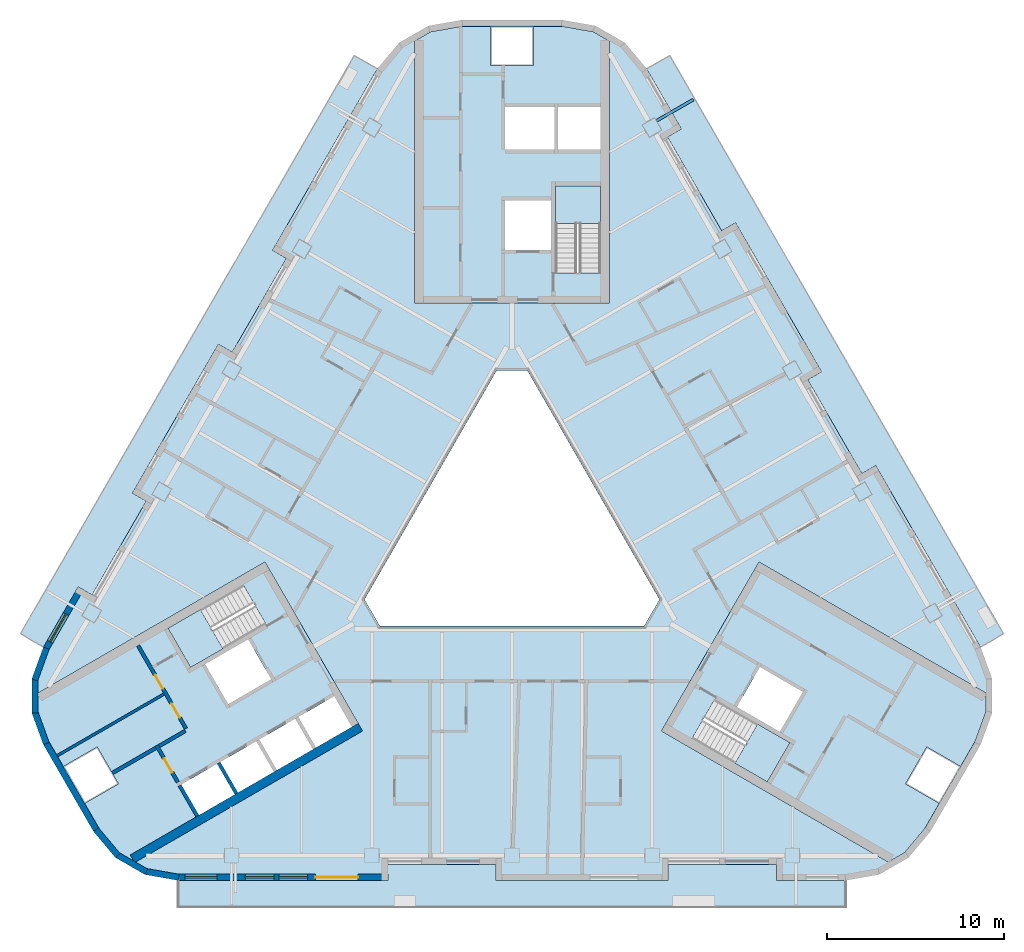
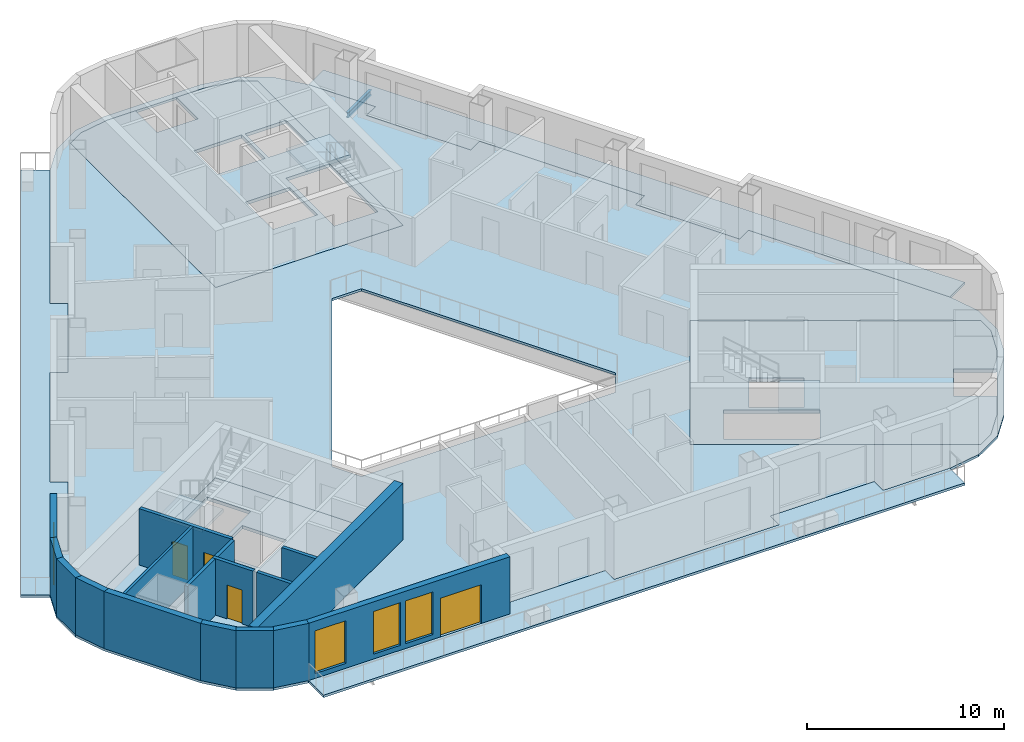
# One storey, part 2 of 14: 17 walls, 10 slabs, 4 doors, 4 windows, 1 beam, 8 openings, 3 elements without a shape of their own.
"""IFC4 building model written with IfcOpenShell, lengths in metres."""

from ifc_helpers import new_model, si_unit, direction, frame, frame_2d, origin, origin_2d, place, context, subcontext, project, spatial, polyline, rectangle, i_section, outline, extrude, material, layer, layer_set, material_profile, profile_set, type_object, element, fill, aggregate, save


model = new_model("IFC4")

# Units and contexts
model_context = context("Model", 3, precision=1e-05, world=origin(), true_north=direction((0.0, 1.0)))
body_context = subcontext(model_context, "Body", "Model", "MODEL_VIEW")
ifc_project = project(units=[si_unit("LENGTHUNIT", "METRE"), si_unit("AREAUNIT", "SQUARE_METRE"), si_unit("VOLUMEUNIT", "CUBIC_METRE"), si_unit("PLANEANGLEUNIT", "RADIAN"), si_unit("MASSUNIT", "GRAM", prefix="KILO")], contexts=[model_context])

# Site, building, storey
site_placement = place(None, origin())
site = spatial("IfcSite", under=ifc_project, at=site_placement, CompositionType="ELEMENT")
building_placement = place(site_placement, origin())
building = spatial("IfcBuilding", under=site, at=building_placement, Name="Apuvela Tower Hotel", CompositionType="ELEMENT")
storey_placement = place(building_placement, frame((0.0, 0.0, 157.699951171875)))
storey = spatial("IfcBuildingStorey", under=building, at=storey_placement, Name="L37", CompositionType="ELEMENT", Elevation=157.699951171875)

# Beam
ifc_material_1 = material(Name="Steel S355", Category="steel")
ifc_material_profile = material_profile(ifc_material_1, i_section(OverallWidth=0.159912109375, OverallDepth=0.330078125, WebThickness=0.007568359375, FlangeThickness=0.011474609375, at=origin_2d()), Name="IPE 330")
ifc_profile_set = profile_set([ifc_material_profile], Name="Steel S355")
beam_type = type_object("IfcBeamType", Name="ENV-BALCONY-BEAM-IPE330", PredefinedType="BEAM", material=ifc_profile_set)
beam_placement = place(storey_placement, frame((8.15576171875, 23.183837890625, -0.31494140625), z_axis=(0.866007538022, 0.500030943131, 0.0), x_axis=(-0.500030943131, 0.866007538022, 0.0)))
element("IfcBeam", 1, at=beam_placement, inside=storey, type_object=beam_type, Name="Balcony cantilever beam NE3 L37", PredefinedType="BEAM", context=body_context, shape_type="SweptSolid", body=[
    extrude(i_section(OverallWidth=0.159912109375, OverallDepth=0.330078125, WebThickness=0.007568359375, FlangeThickness=0.011474609375, at=origin_2d()), origin(), (0.0, 0.0, 1.0), 2.374755859375),
])

# Slabs
ifc_material_2 = material(Name="Concrete C50/60", Category="concrete")
ifc_layer_1 = layer(ifc_material_2, 0.199951171875)
ifc_layer_set_1 = layer_set([ifc_layer_1], Name="COR-FLOOR-200")
slab_type_1 = type_object("IfcSlabType", Name="COR-FLOOR-200", PredefinedType="FLOOR", material=ifc_layer_set_1)
slab_1_placement = place(storey_placement, frame((0.0, 0.0, -0.199951171875)))
element("IfcSlab", 2, at=slab_1_placement, inside=storey, type_object=slab_type_1, Name="Core floor N", PredefinedType="FLOOR", context=body_context, shape_type="SweptSolid", body=[
    extrude(outline(polyline([(5.5, 27.668212890625), (4.588623046875, 28.1943359375), (2.85498046875, 28.5), (1.199951171875, 28.5), (1.199951171875, 26.300048828125), (-1.199951171875, 26.300048828125), (-1.199951171875, 28.5), (-2.85498046875, 28.5), (-4.588623046875, 28.1943359375), (-5.5, 27.668212890625), (-5.5, 12.89990234375), (5.5, 12.89990234375), (5.5, 27.668212890625)]), holes=[polyline([(5.0, 14.60595703125), (2.449951171875, 14.60595703125), (2.449951171875, 19.5), (5.0, 19.5), (5.0, 14.60595703125)]), polyline([(2.199951171875, 15.89990234375), (-0.39990234375, 15.89990234375), (-0.39990234375, 18.699951171875), (2.199951171875, 18.699951171875), (2.199951171875, 15.89990234375)]), polyline([(5.0, 21.550048828125), (2.60009765625, 21.550048828125), (2.60009765625, 23.949951171875), (5.0, 23.949951171875), (5.0, 21.550048828125)]), polyline([(2.39990234375, 21.550048828125), (-0.39990234375, 21.550048828125), (-0.39990234375, 23.949951171875), (2.39990234375, 23.949951171875), (2.39990234375, 21.550048828125)])]), origin(), (0.0, 0.0, 1.0), 0.199951171875),
])
slab_2_placement = place(storey_placement, frame((0.0, 0.0, -0.199951171875)))
element("IfcSlab", 3, at=slab_2_placement, inside=storey, type_object=slab_type_1, Name="Core floor SW", PredefinedType="FLOOR", context=body_context, shape_type="SweptSolid", body=[
    extrude(outline(polyline([(-26.711181640625, -9.07080078125), (-26.711181640625, -10.123291015625), (-26.109375, -11.77734375), (-25.28173828125, -13.210693359375), (-23.37646484375, -12.11083984375), (-22.176513671875, -14.189208984375), (-24.081787109375, -15.289306640625), (-23.254150390625, -16.72265625), (-22.122802734375, -18.071044921875), (-21.211181640625, -18.59716796875), (-8.421630859375, -11.213134765625), (-13.921630859375, -1.68701171875), (-26.711181640625, -9.07080078125)]), holes=[polyline([(-10.01806640625, -9.248046875), (-9.01806640625, -10.97998046875), (-11.044677734375, -12.150146484375), (-12.044677734375, -10.418212890625), (-10.01806640625, -9.248046875)]), polyline([(-14.244384765625, -11.68798828125), (-12.2177734375, -10.51806640625), (-11.2177734375, -12.25), (-13.244384765625, -13.420166015625), (-14.244384765625, -11.68798828125)]), polyline([(-19.387451171875, -5.419921875), (-15.149169921875, -2.972900390625), (-13.874267578125, -5.18115234375), (-18.112548828125, -7.628173828125), (-19.387451171875, -5.419921875)]), polyline([(-14.869873046875, -6.044677734375), (-13.56982421875, -8.29638671875), (-15.99462890625, -9.6962890625), (-17.294677734375, -7.444580078125), (-14.869873046875, -6.044677734375)]), polyline([(-16.444091796875, -12.9580078125), (-14.41748046875, -11.7880859375), (-13.41748046875, -13.52001953125), (-15.444091796875, -14.690185546875), (-16.444091796875, -12.9580078125)]), polyline([(-18.643798828125, -14.22802734375), (-16.6171875, -13.05810546875), (-15.6171875, -14.7900390625), (-17.643798828125, -15.960205078125), (-18.643798828125, -14.22802734375)])]), origin(), (0.0, 0.0, 1.0), 0.199951171875),
])
slab_3_placement = place(storey_placement, frame((0.0, 0.0, -0.199951171875)))
element("IfcSlab", 4, at=slab_3_placement, inside=storey, type_object=slab_type_1, Name="Core floor SE", PredefinedType="FLOOR", context=body_context, shape_type="SweptSolid", body=[
    extrude(outline(polyline([(21.211181640625, -18.59716796875), (22.122802734375, -18.071044921875), (23.254150390625, -16.72265625), (24.081787109375, -15.289306640625), (22.176513671875, -14.189208984375), (23.37646484375, -12.11083984375), (25.28173828125, -13.210693359375), (26.109375, -11.77734375), (26.711181640625, -10.123291015625), (26.711181640625, -9.07080078125), (13.921630859375, -1.68701171875), (8.421630859375, -11.213134765625), (21.211181640625, -18.59716796875)]), holes=[polyline([(11.42431640625, -9.4248046875), (15.66259765625, -11.871826171875), (14.387451171875, -14.080078125), (10.149169921875, -11.633056640625), (11.42431640625, -9.4248046875)]), polyline([(13.9697265625, -7.603515625), (16.394775390625, -9.003662109375), (15.0947265625, -11.25537109375), (12.669921875, -9.855224609375), (13.9697265625, -7.603515625)])]), origin(), (0.0, 0.0, 1.0), 0.199951171875),
])

# Stair, slab
stair_type = type_object("IfcStairType", Name="COR-STAIR-22R", PredefinedType="HALF_TURN_STAIR", material=ifc_material_2)
stair_1_placement = place(storey_placement, origin())
stair_1 = element("IfcStair", 5, at=stair_1_placement, inside=storey, type_object=stair_type, Name="L37 Exit stair ST1", PredefinedType="HALF_TURN_STAIR")
ifc_layer_2 = layer(ifc_material_2, 0.199951171875)
ifc_layer_set_2 = layer_set([ifc_layer_2], Name="COR-LANDING-200")
slab_type_2 = type_object("IfcSlabType", Name="COR-LANDING-200", PredefinedType="LANDING", material=ifc_layer_set_2)
slab_4_placement = place(storey_placement, frame((0.0, 0.0, 1.650146484375)))
slab_4 = element("IfcSlab", 6, at=slab_4_placement, type_object=slab_type_2, Name="ST1 landing 1", PredefinedType="LANDING", context=body_context, shape_type="SweptSolid", body=[
    extrude(outline(polyline([(5.0, 17.39404296875), (5.0, 19.5), (2.449951171875, 19.5), (2.449951171875, 17.39404296875), (5.0, 17.39404296875)])), origin(), (0.0, 0.0, 1.0), 0.199951171875),
])
aggregate(stair_1, [slab_4])

stair_2_placement = place(storey_placement, origin())
stair_2 = element("IfcStair", 7, at=stair_2_placement, inside=storey, type_object=stair_type, Name="L37 Exit stair ST2", PredefinedType="HALF_TURN_STAIR")
slab_5_placement = place(storey_placement, frame((0.0, 0.0, 1.650146484375)))
slab_5 = element("IfcSlab", 8, at=slab_5_placement, type_object=slab_type_2, Name="ST2 landing 1", PredefinedType="LANDING", context=body_context, shape_type="SweptSolid", body=[
    extrude(outline(polyline([(-17.563720703125, -4.366943359375), (-19.387451171875, -5.419921875), (-18.112548828125, -7.628173828125), (-16.28857421875, -6.5751953125), (-17.563720703125, -4.366943359375)])), origin(), (0.0, 0.0, 1.0), 0.199951171875),
])
aggregate(stair_2, [slab_5])

stair_3_placement = place(storey_placement, origin())
stair_3 = element("IfcStair", 9, at=stair_3_placement, inside=storey, type_object=stair_type, Name="L37 Exit stair ST3", PredefinedType="HALF_TURN_STAIR")
slab_6_placement = place(storey_placement, frame((0.0, 0.0, 1.650146484375)))
slab_6 = element("IfcSlab", 10, at=slab_6_placement, type_object=slab_type_2, Name="ST3 landing 1", PredefinedType="LANDING", context=body_context, shape_type="SweptSolid", body=[
    extrude(outline(polyline([(12.563720703125, -13.027099609375), (14.387451171875, -14.080078125), (15.66259765625, -11.871826171875), (13.838623046875, -10.81884765625), (12.563720703125, -13.027099609375)])), origin(), (0.0, 0.0, 1.0), 0.199951171875),
])
aggregate(stair_3, [slab_6])

# Slabs
ifc_material_3 = material(Name="Concrete C40/50, fair-faced", Category="concrete")
ifc_layer_3 = layer(ifc_material_3, 0.14990234375)
ifc_layer_set_3 = layer_set([ifc_layer_3], Name="ENV-BALCONY-150")
slab_type_3 = type_object("IfcSlabType", Name="ENV-BALCONY-150", PredefinedType="FLOOR", material=ifc_layer_set_3)
slab_7_placement = place(storey_placement, frame((0.0, 0.0, -0.14990234375)))
element("IfcSlab", 11, at=slab_7_placement, inside=storey, type_object=slab_type_3, Name="Balcony slab S L37", PredefinedType="FLOOR", context=body_context, shape_type="SweptSolid", body=[
    extrude(outline(polyline([(18.82080078125, -21.135009765625), (-18.82080078125, -21.135009765625), (-18.82080078125, -19.625), (-7.0048828125, -19.625), (-7.0048828125, -18.72509765625), (-0.89501953125, -18.72509765625), (-0.89501953125, -19.625), (8.794921875, -19.625), (8.794921875, -18.72509765625), (14.905029296875, -18.72509765625), (14.905029296875, -19.625), (18.82080078125, -19.625), (18.82080078125, -21.135009765625)])), origin(), (0.0, 0.0, 1.0), 0.14990234375),
])
slab_8_placement = place(storey_placement, frame((0.0, 0.0, -0.14990234375)))
element("IfcSlab", 12, at=slab_8_placement, inside=storey, type_object=slab_type_3, Name="Balcony slab NE L37", PredefinedType="FLOOR", context=body_context, shape_type="SweptSolid", body=[
    extrude(outline(polyline([(17.443359375, 9.037353515625), (12.598388671875, 17.42919921875), (11.81884765625, 16.979248046875), (8.763916015625, 22.2705078125), (9.543212890625, 22.720703125), (7.585205078125, 26.11181640625), (8.89306640625, 26.86669921875), (27.7138671875, -5.731689453125), (26.40625, -6.48681640625), (20.498291015625, 3.74609375), (19.71875, 3.2958984375), (16.663818359375, 8.58740234375), (17.443359375, 9.037353515625)])), origin(), (0.0, 0.0, 1.0), 0.14990234375),
])
slab_9_placement = place(storey_placement, frame((0.0, 0.0, -0.14990234375)))
element("IfcSlab", 13, at=slab_9_placement, inside=storey, type_object=slab_type_3, Name="Balcony slab NW L37", PredefinedType="FLOOR", context=body_context, shape_type="SweptSolid", body=[
    extrude(outline(polyline([(-27.7138671875, -5.731689453125), (-8.89306640625, 26.86669921875), (-7.585205078125, 26.11181640625), (-13.4931640625, 15.87890625), (-12.7138671875, 15.428955078125), (-15.768798828125, 10.1376953125), (-16.548095703125, 10.587646484375), (-21.393310546875, 2.19580078125), (-20.61376953125, 1.745849609375), (-23.668701171875, -3.545654296875), (-24.4482421875, -3.095703125), (-26.40625, -6.48681640625), (-27.7138671875, -5.731689453125)])), origin(), (0.0, 0.0, 1.0), 0.14990234375),
])
ifc_material_4 = material(Name="Concrete C35/45", Category="concrete")
ifc_layer_4 = layer(ifc_material_4, 0.14990234375)
ifc_layer_set_4 = layer_set([ifc_layer_4], Name="STR-SLAB 150 floor Concrete C35/45")
slab_type_4 = type_object("IfcSlabType", Name="STR-SLAB 150 floor Concrete C35/45", PredefinedType="FLOOR", material=ifc_layer_set_4)
slab_10_placement = place(storey_placement, frame((0.0, 0.0, -0.14990234375)))
element("IfcSlab", 14, at=slab_10_placement, inside=storey, type_object=slab_type_4, Name="Floor slab S4 L37", PredefinedType="FLOOR", context=body_context, shape_type="SweptSolid", body=[
    extrude(outline(polyline([(-6.3642578125, 27.5732421875), (-4.710205078125, 28.5283203125), (-2.8291015625, 28.860107421875), (2.8291015625, 28.860107421875), (4.710205078125, 28.5283203125), (6.3642578125, 27.5732421875), (7.59228515625, 26.110107421875), (9.550048828125, 22.71875), (8.770751953125, 22.268798828125), (11.82080078125, 16.986083984375), (12.60009765625, 17.43603515625), (17.4501953125, 9.035400390625), (16.670654296875, 8.58544921875), (19.720703125, 3.302734375), (20.5, 3.752685546875), (26.407958984375, -6.47998046875), (27.061279296875, -8.27490234375), (27.061279296875, -10.18505859375), (26.407958984375, -11.97998046875), (23.5791015625, -16.8798828125), (22.351318359375, -18.34326171875), (20.697021484375, -19.29833984375), (18.81591796875, -19.6298828125), (14.89990234375, -19.6298828125), (14.89990234375, -18.72998046875), (8.800048828125, -18.72998046875), (8.800048828125, -19.6298828125), (-0.89990234375, -19.6298828125), (-0.89990234375, -18.72998046875), (-7.0, -18.72998046875), (-7.0, -19.6298828125), (-18.81591796875, -19.6298828125), (-20.697021484375, -19.29833984375), (-22.351318359375, -18.34326171875), (-23.5791015625, -16.8798828125), (-26.407958984375, -11.97998046875), (-27.061279296875, -10.18505859375), (-27.061279296875, -8.27490234375), (-26.407958984375, -6.47998046875), (-24.4501953125, -3.088623046875), (-23.670654296875, -3.538818359375), (-20.62060546875, 1.743896484375), (-21.400146484375, 2.194091796875), (-16.550048828125, 10.594482421875), (-15.7705078125, 10.14453125), (-12.720703125, 15.42724609375), (-13.5, 15.877197265625), (-7.59228515625, 26.110107421875), (-6.3642578125, 27.5732421875)]), holes=[polyline([(0.865966796875, 9.10009765625), (-0.865966796875, 9.10009765625), (-8.313720703125, -3.800048828125), (-7.44775390625, -5.300048828125), (7.44775390625, -5.300048828125), (8.313720703125, -3.800048828125), (0.865966796875, 9.10009765625)]), polyline([(-5.5, 12.89990234375), (-5.5, 27.668212890625), (-4.588623046875, 28.1943359375), (-2.85498046875, 28.5), (2.85498046875, 28.5), (4.588623046875, 28.1943359375), (5.5, 27.668212890625), (5.5, 12.89990234375), (-5.5, 12.89990234375)]), polyline([(-8.421630859375, -11.213134765625), (-21.211181640625, -18.59716796875), (-22.122802734375, -18.071044921875), (-23.254150390625, -16.72265625), (-26.109375, -11.77734375), (-26.711181640625, -10.123291015625), (-26.711181640625, -9.07080078125), (-13.921630859375, -1.68701171875), (-8.421630859375, -11.213134765625)]), polyline([(13.921630859375, -1.68701171875), (26.711181640625, -9.07080078125), (26.711181640625, -10.123291015625), (26.109375, -11.77734375), (23.254150390625, -16.72265625), (22.122802734375, -18.071044921875), (21.211181640625, -18.59716796875), (8.421630859375, -11.213134765625), (13.921630859375, -1.68701171875)])]), origin(), (0.0, 0.0, 1.0), 0.14990234375),
])

# Walls
ifc_layer_5 = layer(ifc_material_2, 0.5)
ifc_layer_set_5 = layer_set([ifc_layer_5], Name="COR-WALL-CORE-500")
wall_type_1 = type_object("IfcWallType", Name="COR-WALL-CORE-500", PredefinedType="SHEAR", material=ifc_layer_set_5)
wall_1_placement = place(storey_placement, frame((-8.546630859375, -10.99658203125, 0.0), z_axis=(0.0, 0.0, 1.0), x_axis=(-0.866025009528, -0.500000682871, 0.0)))
element("IfcWall", 15, at=wall_1_placement, inside=storey, type_object=wall_type_1, Name="Core wall SW", PredefinedType="SHEAR", context=body_context, shape_type="SweptSolid", body=[
    extrude(rectangle(XDim=14.8369140625, YDim=0.5, at=frame_2d((7.41845703125, 0.0))), origin(), (0.0, 0.0, 1.0), 3.5),
])
ifc_material_5 = material(Name="Blockwork 150 mm plastered", Category="masonry")
ifc_layer_6 = layer(ifc_material_5, 0.14990234375)
ifc_layer_set_6 = layer_set([ifc_layer_6], Name="COR-WALL-PART-150")
wall_type_2 = type_object("IfcWallType", Name="COR-WALL-PART-150", PredefinedType="PARTITIONING", material=ifc_layer_set_6)
wall_2_placement = place(storey_placement, frame((-19.61279296875, -9.129638671875, 0.0), z_axis=(0.0, 0.0, 1.0), x_axis=(-0.866031734426, -0.499989034847, 0.0)))
element("IfcWall", 16, at=wall_2_placement, inside=storey, type_object=wall_type_2, Name="Partition SW", PredefinedType="PARTITIONING", context=body_context, shape_type="SweptSolid", body=[
    extrude(rectangle(XDim=6.949951171875, YDim=0.14990234375, at=frame_2d((3.47509765625, 0.0))), origin(), (0.0, 0.0, 1.0), 3.5),
])

# Wall, openings, doors
ifc_material_6 = material(Name="Blockwork 200 mm plastered", Category="masonry")
ifc_layer_7 = layer(ifc_material_6, 0.199951171875)
ifc_layer_set_7 = layer_set([ifc_layer_7], Name="COR-WALL-PART-200")
wall_type_3 = type_object("IfcWallType", Name="COR-WALL-PART-200", PredefinedType="PARTITIONING", material=ifc_layer_set_7)
wall_3_placement = place(storey_placement, frame((-21.076171875, -6.39501953125, 0.0), z_axis=(0.0, 0.0, 1.0), x_axis=(0.50001468107, -0.866016927499, 0.0)))
wall_3 = element("IfcWall", 17, at=wall_3_placement, inside=storey, type_object=wall_type_3, Name="Partition SW", PredefinedType="PARTITIONING", context=body_context, shape_type="SweptSolid", body=[
    extrude(rectangle(XDim=5.399658203125, YDim=0.199951171875, at=frame_2d((2.69970703125, 0.0))), origin(), (0.0, 0.0, 1.0), 3.5),
])
opening_1_placement = place(wall_3_placement, frame((1.91259765625, 0.0, 0.0)))
opening_1 = element("IfcOpeningElement", 18, at=opening_1_placement, cuts=wall_3, Name="Opening W-RS1", PredefinedType="OPENING", context=body_context, shape_type="SweptSolid", body=[
    extrude(rectangle(XDim=0.89990234375, YDim=2.10009765625, at=frame_2d((0.449951171875, 1.050048828125))), frame((0.0, 0.10986328125, 0.0), z_axis=(0.0, -1.0, 0.0), x_axis=(1.0, 0.0, 0.0)), (0.0, 0.0, 1.0), 0.219970703125),
])
opening_2_placement = place(wall_3_placement, frame((3.78759765625, 0.0, 0.0)))
opening_2 = element("IfcOpeningElement", 19, at=opening_2_placement, cuts=wall_3, Name="Opening W-RS2", PredefinedType="OPENING", context=body_context, shape_type="SweptSolid", body=[
    extrude(rectangle(XDim=0.89990234375, YDim=2.10009765625, at=frame_2d((0.449951171875, 1.050048828125))), frame((0.0, 0.10986328125, 0.0), z_axis=(0.0, -1.0, 0.0), x_axis=(1.0, 0.0, 0.0)), (0.0, 0.0, 1.0), 0.219970703125),
])
ifc_material_7 = material(Name="Steel fire door, powder coated", Category="steel")
door_type_1 = type_object("IfcDoorType", Name="COR-DR-900", OperationType="NOTDEFINED", PredefinedType="DOOR", material=ifc_material_7)
door_1_placement = place(opening_1_placement, frame((0.89990234375, 0.0, 0.0), z_axis=(0.0, 0.0, 1.0), x_axis=(-1.0, 0.0, 0.0)))
door_1 = element("IfcDoor", 20, at=door_1_placement, inside=storey, type_object=door_type_1, Name="Store door W-RS1", OperationType="SINGLE_SWING_LEFT", OverallHeight=2.10009765625, OverallWidth=0.89990234375, PredefinedType="DOOR", context=body_context, shape_type="SweptSolid", body=[
    extrude(rectangle(XDim=0.89990234375, YDim=2.10009765625, at=frame_2d((0.449951171875, 1.050048828125))), frame((0.0, 0.02490234375, 0.0), z_axis=(0.0, -1.0, 0.0), x_axis=(1.0, 0.0, 0.0)), (0.0, 0.0, 1.0), 0.050048828125),
])
fill(opening_1, door_1)
door_2_placement = place(opening_2_placement, frame((0.89990234375, 0.0, 0.0), z_axis=(0.0, 0.0, 1.0), x_axis=(-1.0, 0.0, 0.0)))
door_2 = element("IfcDoor", 21, at=door_2_placement, inside=storey, type_object=door_type_1, Name="Store door W-RS2", OperationType="SINGLE_SWING_LEFT", OverallHeight=2.10009765625, OverallWidth=0.89990234375, PredefinedType="DOOR", context=body_context, shape_type="SweptSolid", body=[
    extrude(rectangle(XDim=0.89990234375, YDim=2.10009765625, at=frame_2d((0.449951171875, 1.050048828125))), frame((0.0, 0.02490234375, 0.0), z_axis=(0.0, -1.0, 0.0), x_axis=(1.0, 0.0, 0.0)), (0.0, 0.0, 1.0), 0.050048828125),
])
fill(opening_2, door_2)

# Wall, opening, door
ifc_layer_8 = layer(ifc_material_2, 0.199951171875)
ifc_layer_set_8 = layer_set([ifc_layer_8], Name="COR-WALL-SHAFT-200")
wall_type_4 = type_object("IfcWallType", Name="COR-WALL-SHAFT-200", PredefinedType="SHEAR", material=ifc_layer_set_8)
wall_4_placement = place(storey_placement, frame((-20.030517578125, -12.0263671875, 0.0), z_axis=(0.0, 0.0, 1.0), x_axis=(0.500033551112, -0.866006032174, 0.0)))
wall_4 = element("IfcWall", 22, at=wall_4_placement, inside=storey, type_object=wall_type_4, Name="Shaft wall SW", PredefinedType="SHEAR", context=body_context, shape_type="SweptSolid", body=[
    extrude(rectangle(XDim=2.400146484375, YDim=0.199951171875, at=frame_2d((1.2001953125, 0.0))), origin(), (0.0, 0.0, 1.0), 3.5),
])
opening_3_placement = place(wall_4_placement, frame((0.85009765625, 0.0, 0.0)))
opening_3 = element("IfcOpeningElement", 23, at=opening_3_placement, cuts=wall_4, Name="Opening W-REP", PredefinedType="OPENING", context=body_context, shape_type="SweptSolid", body=[
    extrude(rectangle(XDim=0.89990234375, YDim=2.10009765625, at=frame_2d((0.449951171875, 1.050048828125))), frame((0.0, 0.10986328125, 0.0), z_axis=(0.0, -1.0, 0.0), x_axis=(1.0, 0.0, 0.0)), (0.0, 0.0, 1.0), 0.219970703125),
])
door_3_placement = place(opening_3_placement, frame((0.89990234375, 0.0, 0.0), z_axis=(0.0, 0.0, 1.0), x_axis=(-1.0, 0.0, 0.0)))
door_3 = element("IfcDoor", 24, at=door_3_placement, inside=storey, type_object=door_type_1, Name="Store door W-REP", OperationType="SINGLE_SWING_LEFT", OverallHeight=2.10009765625, OverallWidth=0.89990234375, PredefinedType="DOOR", context=body_context, shape_type="SweptSolid", body=[
    extrude(rectangle(XDim=0.89990234375, YDim=2.10009765625, at=frame_2d((0.449951171875, 1.050048828125))), frame((0.0, 0.02490234375, 0.0), z_axis=(0.0, -1.0, 0.0), x_axis=(1.0, 0.0, 0.0)), (0.0, 0.0, 1.0), 0.050048828125),
])
fill(opening_3, door_3)

# Walls
wall_5_placement = place(storey_placement, frame((-18.412841796875, -11.2080078125, 0.0), z_axis=(0.0, 0.0, 1.0), x_axis=(-0.866038183914, -0.499977863513, 0.0)))
element("IfcWall", 25, at=wall_5_placement, inside=storey, type_object=wall_type_4, Name="Shaft wall SW", PredefinedType="SHEAR", context=body_context, shape_type="SweptSolid", body=[
    extrude(rectangle(XDim=1.7099609375, YDim=0.199951171875, at=frame_2d((0.85498046875, 0.0))), origin(), (0.0, 0.0, 1.0), 3.5),
])
for number, where, z_axis, x_axis, name in (
    (26, (-16.530517578125, -13.008056640625, 0.0), (0.0, 0.0, 1.0), (0.50002537861, -0.866010750942, 0.0), "Shaft wall SW"),
    (27, (-18.73046875, -14.278076171875, 0.0), (0.0, 0.0, 1.0), (0.50002537861, -0.866010750942, 0.0), "Shaft wall SW"),
):
    element("IfcWall", number, at=place(storey_placement, frame(where, z_axis=z_axis, x_axis=x_axis)), inside=storey, type_object=wall_type_4, Name=name, PredefinedType="SHEAR", context=body_context, shape_type="SweptSolid", body=[
        extrude(rectangle(XDim=2.0, YDim=0.199951171875, at=frame_2d((1.0, 0.0))), origin(), (0.0, 0.0, 1.0), 3.5),
    ])
wall_6_placement = place(storey_placement, frame((-20.06689453125, -12.1630859375, 0.0), z_axis=(0.0, 0.0, 1.0), x_axis=(-0.866055327414, -0.49994816717, 0.0)))
element("IfcWall", 28, at=wall_6_placement, inside=storey, type_object=wall_type_4, Name="Shaft wall SW", PredefinedType="SHEAR", context=body_context, shape_type="SweptSolid", body=[
    extrude(rectangle(XDim=2.840087890625, YDim=0.199951171875, at=frame_2d((1.419921875, 0.0))), origin(), (0.0, 0.0, 1.0), 3.5),
])

# Wall, opening, window
ifc_material_8 = material(Name="Concrete C40/50, dark pigmented precast panel", Category="concrete")
ifc_layer_9 = layer(ifc_material_8, 0.35009765625)
ifc_layer_set_9 = layer_set([ifc_layer_9], Name="ENV-WALL-350")
wall_type_5 = type_object("IfcWallType", Name="ENV-WALL-350", PredefinedType="SOLIDWALL", material=ifc_layer_set_9)
wall_7_placement = place(storey_placement, frame((-24.298583984375, -3.17626953125, 0.0), z_axis=(0.0, 0.0, 1.0), x_axis=(-0.500028278809, -0.866009076391, 0.0)))
wall_7 = element("IfcWall", 29, at=wall_7_placement, inside=storey, type_object=wall_type_5, Name="External wall L37-09", PredefinedType="SOLIDWALL", context=body_context, shape_type="SweptSolid", body=[
    extrude(rectangle(XDim=3.915771484375, YDim=0.35009765625, at=frame_2d((1.9580078125, 0.0))), origin(), (0.0, 0.0, 1.0), 3.550048828125),
])
opening_4_placement = place(wall_7_placement, frame((1.675048828125, 0.0, 0.300048828125)))
opening_4 = element("IfcOpeningElement", 30, at=opening_4_placement, cuts=wall_7, Name="Opening WN18", PredefinedType="OPENING", context=body_context, shape_type="SweptSolid", body=[
    extrude(rectangle(XDim=1.800048828125, YDim=2.64990234375, at=frame_2d((0.89990234375, 1.324951171875))), frame((0.0, 0.18505859375, 0.0), z_axis=(0.0, -1.0, 0.0), x_axis=(1.0, 0.0, 0.0)), (0.0, 0.0, 1.0), 0.3701171875),
])
ifc_material_9 = material(Name="Glass, dark tinted laminated insulated glazing unit", Category="glass")
window_type_1 = type_object("IfcWindowType", Name="ENV-WIN-1800x2650", PartitioningType="SINGLE_PANEL", PredefinedType="WINDOW", material=ifc_material_9)
window_1_placement = place(opening_4_placement, origin())
window_1 = element("IfcWindow", 31, at=window_1_placement, inside=storey, type_object=window_type_1, Name="Window WN18", OverallHeight=2.64990234375, OverallWidth=1.800048828125, PartitioningType="SINGLE_PANEL", PredefinedType="WINDOW", context=body_context, shape_type="SweptSolid", body=[
    extrude(rectangle(XDim=1.800048828125, YDim=2.64990234375, at=frame_2d((0.89990234375, 1.324951171875))), frame((0.0, 0.030029296875, 0.0), z_axis=(0.0, -1.0, 0.0), x_axis=(1.0, 0.0, 0.0)), (0.0, 0.0, 1.0), 0.06005859375),
])
fill(opening_4, window_1)

# Walls
for number, where, z_axis, x_axis, name in (
    (32, (-26.24365234375, -6.539794921875, 0.0), (0.0, 0.0, 1.0), (-0.342030395486, -0.939688889242, 0.0), "External wall L37-10"),
    (33, (-26.88623046875, -8.27490234375, 0.0), (0.0, 0.0, 1.0), (0.0, -1.0, 0.0), "External wall L37-11"),
    (34, (-26.89697265625, -10.125244140625, 0.0), (0.0, 0.0, 1.0), (0.342030395486, -0.939688889242, 0.0), "External wall L37-12"),
):
    element("IfcWall", number, at=place(storey_placement, frame(where, z_axis=z_axis, x_axis=x_axis)), inside=storey, type_object=wall_type_5, Name=name, PredefinedType="SOLIDWALL", context=body_context, shape_type="SweptSolid", body=[
        extrude(rectangle(XDim=1.91015625, YDim=0.35009765625, at=frame_2d((0.955078125, 0.0))), origin(), (0.0, 0.0, 1.0), 3.550048828125),
    ])
wall_8_placement = place(storey_placement, frame((-26.256591796875, -11.892578125, 0.0), z_axis=(0.0, 0.0, 1.0), x_axis=(0.500018773155, -0.866014564827, 0.0)))
element("IfcWall", 35, at=wall_8_placement, inside=storey, type_object=wall_type_5, Name="External wall L37-13", PredefinedType="SOLIDWALL", context=body_context, shape_type="SweptSolid", body=[
    extrude(rectangle(XDim=5.657958984375, YDim=0.35009765625, at=frame_2d((2.8291015625, 0.0))), origin(), (0.0, 0.0, 1.0), 3.550048828125),
])
for number, where, z_axis, x_axis, name in (
    (36, (-23.44482421875, -16.767578125, 0.0), (0.0, 0.0, 1.0), (0.642733291068, -0.76609001857, 0.0), "External wall L37-14"),
    (37, (-22.263671875, -18.191650390625, 0.0), (0.0, 0.0, 1.0), (0.866000389056, -0.500043324278, 0.0), "External wall L37-15"),
):
    element("IfcWall", number, at=place(storey_placement, frame(where, z_axis=z_axis, x_axis=x_axis)), inside=storey, type_object=wall_type_5, Name=name, PredefinedType="SOLIDWALL", context=body_context, shape_type="SweptSolid", body=[
        extrude(rectangle(XDim=1.909912109375, YDim=0.35009765625, at=frame_2d((0.955078125, 0.0))), origin(), (0.0, 0.0, 1.0), 3.550048828125),
    ])
wall_9_placement = place(storey_placement, frame((-20.66650390625, -19.1259765625, 0.0), z_axis=(0.0, 0.0, 1.0), x_axis=(0.984798995425, -0.173697837091, 0.0)))
element("IfcWall", 38, at=wall_9_placement, inside=storey, type_object=wall_type_5, Name="External wall L37-16", PredefinedType="SOLIDWALL", context=body_context, shape_type="SweptSolid", body=[
    extrude(rectangle(XDim=1.91015625, YDim=0.35009765625, at=frame_2d((0.955078125, 0.0))), origin(), (0.0, 0.0, 1.0), 3.550048828125),
])

# Wall, openings, door, windows
wall_10_placement = place(storey_placement, frame((-18.81591796875, -19.455078125, 0.0), z_axis=(0.0, 0.0, 1.0), x_axis=(1.0, 0.0, 0.0)))
wall_10 = element("IfcWall", 39, at=wall_10_placement, inside=storey, type_object=wall_type_5, Name="External wall L37-17", PredefinedType="SOLIDWALL", context=body_context, shape_type="SweptSolid", body=[
    extrude(rectangle(XDim=11.81591796875, YDim=0.35009765625, at=frame_2d((5.907958984375, 0.0))), origin(), (0.0, 0.0, 1.0), 3.550048828125),
])
opening_5_placement = place(wall_10_placement, frame((0.380615234375, 0.0, 0.300048828125)))
opening_5 = element("IfcOpeningElement", 40, at=opening_5_placement, cuts=wall_10, Name="Opening WN18", PredefinedType="OPENING", context=body_context, shape_type="SweptSolid", body=[
    extrude(rectangle(XDim=1.800048828125, YDim=2.64990234375, at=frame_2d((0.89990234375, 1.324951171875))), frame((0.0, 0.18505859375, 0.0), z_axis=(0.0, -1.0, 0.0), x_axis=(1.0, 0.0, 0.0)), (0.0, 0.0, 1.0), 0.3701171875),
])
opening_6_placement = place(wall_10_placement, frame((7.740478515625, 0.0, 0.0)))
opening_6 = element("IfcOpeningElement", 41, at=opening_6_placement, cuts=wall_10, Name="Opening BD24", PredefinedType="OPENING", context=body_context, shape_type="SweptSolid", body=[
    extrude(rectangle(XDim=2.39990234375, YDim=2.39990234375, at=frame_2d((1.199951171875, 1.199951171875))), frame((0.0, 0.18505859375, 0.0), z_axis=(0.0, -1.0, 0.0), x_axis=(1.0, 0.0, 0.0)), (0.0, 0.0, 1.0), 0.3701171875),
])
opening_7_placement = place(wall_10_placement, frame((3.790771484375, 0.0, 0.300048828125)))
opening_7 = element("IfcOpeningElement", 42, at=opening_7_placement, cuts=wall_10, Name="Opening WN16", PredefinedType="OPENING", context=body_context, shape_type="SweptSolid", body=[
    extrude(rectangle(XDim=1.60009765625, YDim=2.64990234375, at=frame_2d((0.800048828125, 1.324951171875))), frame((0.0, 0.18505859375, 0.0), z_axis=(0.0, -1.0, 0.0), x_axis=(1.0, 0.0, 0.0)), (0.0, 0.0, 1.0), 0.3701171875),
])
opening_8_placement = place(wall_10_placement, frame((5.69091796875, 0.0, 0.300048828125)))
opening_8 = element("IfcOpeningElement", 43, at=opening_8_placement, cuts=wall_10, Name="Opening WN16", PredefinedType="OPENING", context=body_context, shape_type="SweptSolid", body=[
    extrude(rectangle(XDim=1.60009765625, YDim=2.64990234375, at=frame_2d((0.800048828125, 1.324951171875))), frame((0.0, 0.18505859375, 0.0), z_axis=(0.0, -1.0, 0.0), x_axis=(1.0, 0.0, 0.0)), (0.0, 0.0, 1.0), 0.3701171875),
])
ifc_material_10 = material(Name="Aluminium 6063-T6, dark bronze anodised frame with dark tinted laminated glass", Category="aluminium")
door_type_2 = type_object("IfcDoorType", Name="ENV-DOOR-BALCONY-2400x2400", OperationType="SLIDING_TO_LEFT", PredefinedType="DOOR", material=ifc_material_10)
door_4_placement = place(opening_6_placement, frame((2.39990234375, 0.0, 0.0), z_axis=(0.0, 0.0, 1.0), x_axis=(-1.0, 0.0, 0.0)))
door_4 = element("IfcDoor", 44, at=door_4_placement, inside=storey, type_object=door_type_2, Name="Balcony door BD24", OperationType="SLIDING_TO_LEFT", OverallHeight=2.39990234375, OverallWidth=2.39990234375, PredefinedType="DOOR", context=body_context, shape_type="SweptSolid", body=[
    extrude(rectangle(XDim=2.39990234375, YDim=2.39990234375, at=frame_2d((1.199951171875, 1.199951171875))), frame((0.0, 0.02490234375, 0.0), z_axis=(0.0, -1.0, 0.0), x_axis=(1.0, 0.0, 0.0)), (0.0, 0.0, 1.0), 0.050048828125),
])
fill(opening_6, door_4)
window_type_2 = type_object("IfcWindowType", Name="ENV-WIN-1600x2650", PartitioningType="SINGLE_PANEL", PredefinedType="WINDOW", material=ifc_material_9)
window_2_placement = place(opening_7_placement, origin())
window_2 = element("IfcWindow", 45, at=window_2_placement, inside=storey, type_object=window_type_2, Name="Window WN16", OverallHeight=2.64990234375, OverallWidth=1.60009765625, PartitioningType="SINGLE_PANEL", PredefinedType="WINDOW", context=body_context, shape_type="SweptSolid", body=[
    extrude(rectangle(XDim=1.60009765625, YDim=2.64990234375, at=frame_2d((0.800048828125, 1.324951171875))), frame((0.0, 0.030029296875, 0.0), z_axis=(0.0, -1.0, 0.0), x_axis=(1.0, 0.0, 0.0)), (0.0, 0.0, 1.0), 0.06005859375),
])
fill(opening_7, window_2)
window_3_placement = place(opening_8_placement, origin())
window_3 = element("IfcWindow", 46, at=window_3_placement, inside=storey, type_object=window_type_2, Name="Window WN16", OverallHeight=2.64990234375, OverallWidth=1.60009765625, PartitioningType="SINGLE_PANEL", PredefinedType="WINDOW", context=body_context, shape_type="SweptSolid", body=[
    extrude(rectangle(XDim=1.60009765625, YDim=2.64990234375, at=frame_2d((0.800048828125, 1.324951171875))), frame((0.0, 0.030029296875, 0.0), z_axis=(0.0, -1.0, 0.0), x_axis=(1.0, 0.0, 0.0)), (0.0, 0.0, 1.0), 0.06005859375),
])
fill(opening_8, window_3)
window_4_placement = place(opening_5_placement, origin())
window_4 = element("IfcWindow", 47, at=window_4_placement, inside=storey, type_object=window_type_1, Name="Window WN18", OverallHeight=2.64990234375, OverallWidth=1.800048828125, PartitioningType="SINGLE_PANEL", PredefinedType="WINDOW", context=body_context, shape_type="SweptSolid", body=[
    extrude(rectangle(XDim=1.800048828125, YDim=2.64990234375, at=frame_2d((0.89990234375, 1.324951171875))), frame((0.0, 0.030029296875, 0.0), z_axis=(0.0, -1.0, 0.0), x_axis=(1.0, 0.0, 0.0)), (0.0, 0.0, 1.0), 0.06005859375),
])
fill(opening_5, window_4)

save(model, "model.ifc")
